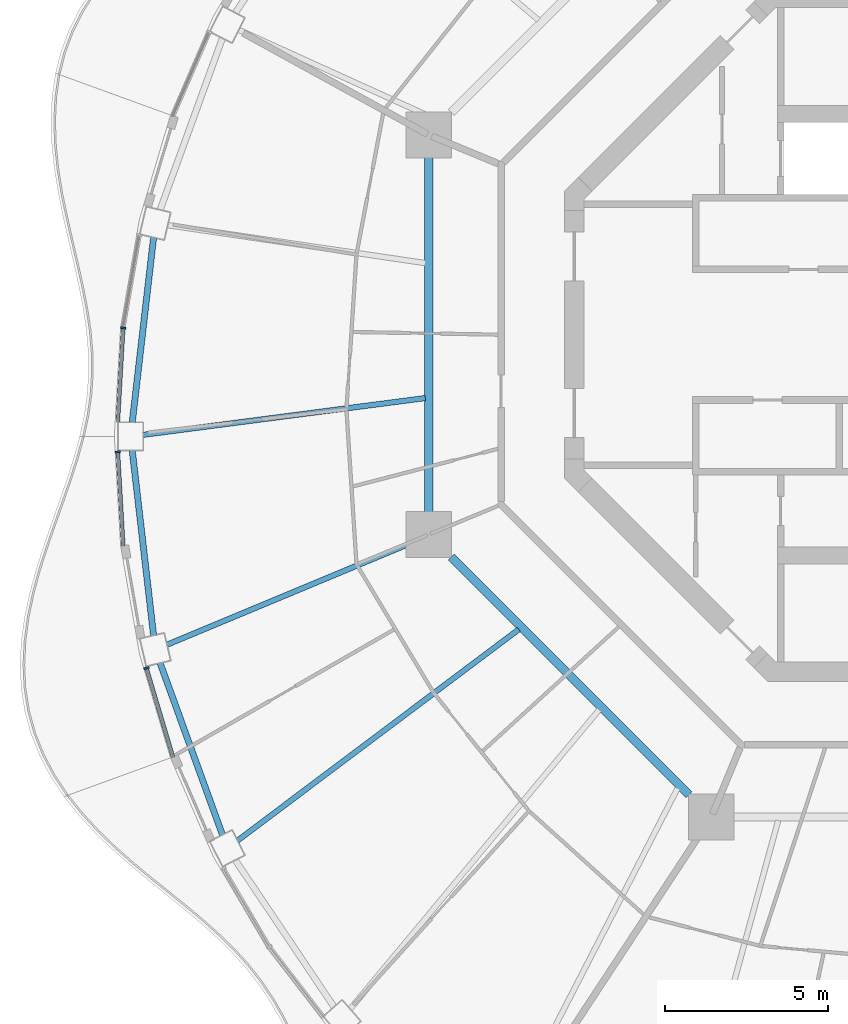
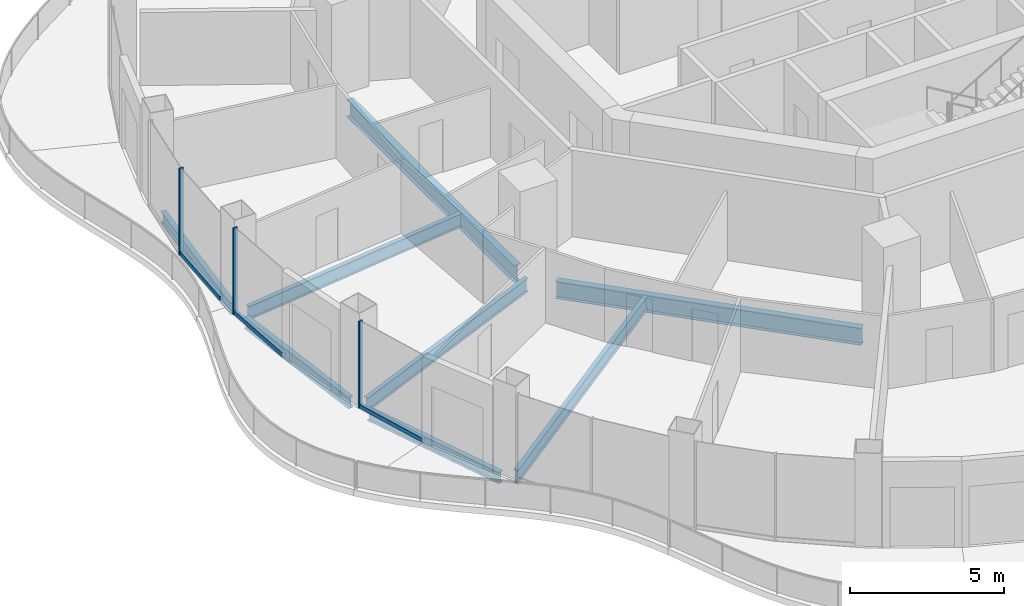
# One storey, part 3 of 17: 8 beams, 6 members, 3 elements without a shape of their own.
"""IFC4 building model written with IfcOpenShell, lengths in metres."""

from ifc_helpers import new_model, si_unit, direction, frame, origin, origin_2d, place, context, subcontext, project, spatial, rectangle, i_section, extrude, material, layer, layer_set, material_profile, profile_set, type_object, element, aggregate, save


model = new_model("IFC4")

# Units and contexts
model_context = context("Model", 3, precision=1e-05, world=origin(), true_north=direction((0.0, 1.0)))
body_context = subcontext(model_context, "Body", "Model", "MODEL_VIEW")
ifc_project = project(units=[si_unit("LENGTHUNIT", "METRE"), si_unit("AREAUNIT", "SQUARE_METRE"), si_unit("VOLUMEUNIT", "CUBIC_METRE"), si_unit("PLANEANGLEUNIT", "RADIAN"), si_unit("MASSUNIT", "GRAM", prefix="KILO")], contexts=[model_context])

# Site, building, storey
site_placement = place(None, origin())
site = spatial("IfcSite", under=ifc_project, at=site_placement, CompositionType="ELEMENT")
building_placement = place(site_placement, origin())
building = spatial("IfcBuilding", under=site, at=building_placement, Name="Nagisa Residences", CompositionType="ELEMENT")
storey_placement = place(building_placement, frame((0.0, 0.0, 262.199951171875)))
storey = spatial("IfcBuildingStorey", under=building, at=storey_placement, Name="L66", CompositionType="ELEMENT", Elevation=262.199951171875)

# Curtain wall, member
ifc_material_1 = material(Name="Concrete-coloured aluminium curtain wall system", Category="concrete")
ifc_layer = layer(ifc_material_1, 0.159912109375)
ifc_layer_set = layer_set([ifc_layer], Name="CW1 CURTAIN WALL")
curtain_wall_type = type_object("IfcCurtainWallType", Name="CW1 CURTAIN WALL", PredefinedType="NOTDEFINED", material=ifc_layer_set)
curtain_wall_1_placement = place(storey_placement, origin())
curtain_wall_1 = element("IfcCurtainWall", 1, at=curtain_wall_1_placement, inside=storey, type_object=curtain_wall_type, Name="cw:CW1:L66:23", PredefinedType="NOTDEFINED")
ifc_material_2 = material(Name="Concrete-coloured aluminium", Category="concrete")
ifc_material_profile_1 = material_profile(ifc_material_2, rectangle(XDim=0.159912109375, YDim=0.06005859375, at=origin_2d()), Name="CW1 MULLION 160x60")
ifc_profile_set_1 = profile_set([ifc_material_profile_1], Name="Concrete-coloured aluminium")
member_type_1 = type_object("IfcMemberType", Name="CW1 MULLION 160x60", PredefinedType="MULLION", material=ifc_profile_set_1)
member_1_placement = place(storey_placement, frame((-24.1484375, 0.20751953125, 0.0), z_axis=(0.0, 0.0, 1.0), x_axis=(0.998345305184, -0.057503492216, 0.0)))
member_1 = element("IfcMember", 2, at=member_1_placement, type_object=member_type_1, Name="CW1 mullion", PredefinedType="MULLION", context=body_context, shape_type="SweptSolid", body=[
    extrude(rectangle(XDim=0.159912109375, YDim=0.06005859375, at=origin_2d()), origin(), (0.0, 0.0, 1.0), 3.43994140625),
])

curtain_wall_2_placement = place(storey_placement, origin())
curtain_wall_2 = element("IfcCurtainWall", 3, at=curtain_wall_2_placement, inside=storey, type_object=curtain_wall_type, Name="cw:CW1:L66:24", PredefinedType="NOTDEFINED")
member_2_placement = place(storey_placement, frame((-24.3125, -3.59228515625, 0.0), z_axis=(0.0, 0.0, 1.0), x_axis=(0.998345305184, 0.057503492216, 0.0)))
member_2 = element("IfcMember", 4, at=member_2_placement, type_object=member_type_1, Name="CW1 mullion", PredefinedType="MULLION", context=body_context, shape_type="SweptSolid", body=[
    extrude(rectangle(XDim=0.159912109375, YDim=0.06005859375, at=origin_2d()), origin(), (0.0, 0.0, 1.0), 3.43994140625),
])

curtain_wall_3_placement = place(storey_placement, origin())
curtain_wall_3 = element("IfcCurtainWall", 5, at=curtain_wall_3_placement, inside=storey, type_object=curtain_wall_type, Name="cw:CW1:L66:26", PredefinedType="NOTDEFINED")
member_3_placement = place(storey_placement, frame((-23.435302734375, -10.216796875, 0.0), z_axis=(0.0, 0.0, 1.0), x_axis=(0.958271310082, 0.285860274038, 0.0)))
member_3 = element("IfcMember", 6, at=member_3_placement, type_object=member_type_1, Name="CW1 mullion", PredefinedType="MULLION", context=body_context, shape_type="SweptSolid", body=[
    extrude(rectangle(XDim=0.159912109375, YDim=0.06005859375, at=origin_2d()), origin(), (0.0, 0.0, 1.0), 3.43994140625),
])

# Member
ifc_material_3 = material(Name="Concrete-coloured aluminium", Category="concrete")
ifc_material_profile_2 = material_profile(ifc_material_3, rectangle(XDim=0.1201171875, YDim=0.14990234375, at=origin_2d()), Name="CW1 TRANSOM 120x150")
ifc_profile_set_2 = profile_set([ifc_material_profile_2], Name="Concrete-coloured aluminium")
member_type_2 = type_object("IfcMemberType", Name="CW1 TRANSOM 120x150", PredefinedType="USERDEFINED", material=ifc_profile_set_2)
member_4_placement = place(storey_placement, frame((-24.146728515625, 0.237548828125, 0.074951171875), z_axis=(-0.057445660401, -0.998348634547, 0.0), x_axis=(0.998348634547, -0.057445660401, 0.0)))
member_4 = element("IfcMember", 7, at=member_4_placement, type_object=member_type_2, Name="CW1 transom", ObjectType="TRANSOM", PredefinedType="USERDEFINED", context=body_context, shape_type="SweptSolid", body=[
    extrude(rectangle(XDim=0.1201171875, YDim=0.14990234375, at=origin_2d()), origin(), (0.0, 0.0, 1.0), 2.91552734375),
])

aggregate(curtain_wall_1, [member_1, member_4])

member_5_placement = place(storey_placement, frame((-24.314208984375, -3.562255859375, 0.074951171875), z_axis=(0.057445660401, -0.998348634547, 0.0), x_axis=(0.998348634547, 0.057445660401, 0.0)))
member_5 = element("IfcMember", 8, at=member_5_placement, type_object=member_type_2, Name="CW1 transom", ObjectType="TRANSOM", PredefinedType="USERDEFINED", context=body_context, shape_type="SweptSolid", body=[
    extrude(rectangle(XDim=0.1201171875, YDim=0.14990234375, at=origin_2d()), origin(), (0.0, 0.0, 1.0), 2.91552734375),
])

aggregate(curtain_wall_2, [member_2, member_5])

member_6_placement = place(storey_placement, frame((-23.44384765625, -10.18798828125, 0.074951171875), z_axis=(0.285798286059, -0.958289799427, 0.0), x_axis=(0.958289799427, 0.285798286059, 0.0)))
member_6 = element("IfcMember", 9, at=member_6_placement, type_object=member_type_2, Name="CW1 transom", ObjectType="TRANSOM", PredefinedType="USERDEFINED", context=body_context, shape_type="SweptSolid", body=[
    extrude(rectangle(XDim=0.1201171875, YDim=0.14990234375, at=origin_2d()), origin(), (0.0, 0.0, 1.0), 2.877197265625),
])

aggregate(curtain_wall_3, [member_3, member_6])

# Beams
ifc_material_4 = material(Name="Steel ASTM A572 Gr 50", Category="steel")
ifc_material_profile_3 = material_profile(ifc_material_4, i_section(OverallWidth=0.2529296875, OverallDepth=0.677978515625, WebThickness=0.01171875, FlangeThickness=0.016357421875, at=origin_2d()), Name="W690x125")
ifc_profile_set_3 = profile_set([ifc_material_profile_3], Name="Steel ASTM A572 Gr 50")
beam_type_1 = type_object("IfcBeamType", Name="Inner ring beam W690x125", PredefinedType="BEAM", material=ifc_profile_set_3)
beam_1_placement = place(storey_placement, frame((-14.781982421875, 5.44287109375, -0.598876953125), z_axis=(0.0, -1.0, 0.0), x_axis=(1.0, 0.0, 0.0)))
element("IfcBeam", 10, at=beam_1_placement, inside=storey, type_object=beam_type_1, Name="beam:L66:ib4", PredefinedType="BEAM", context=body_context, shape_type="SweptSolid", body=[
    extrude(i_section(OverallWidth=0.2529296875, OverallDepth=0.677978515625, WebThickness=0.01171875, FlangeThickness=0.016357421875, at=origin_2d()), origin(), (0.0, 0.0, 1.0), 10.8857421875),
])
beam_2_placement = place(storey_placement, frame((-14.09619140625, -6.808837890625, -0.598876953125), z_axis=(0.707106781187, -0.707106781187, 0.0), x_axis=(0.707106781187, 0.707106781187, 0.0)))
element("IfcBeam", 11, at=beam_2_placement, inside=storey, type_object=beam_type_1, Name="beam:L66:ib5", PredefinedType="BEAM", context=body_context, shape_type="SweptSolid", body=[
    extrude(i_section(OverallWidth=0.2529296875, OverallDepth=0.677978515625, WebThickness=0.01171875, FlangeThickness=0.016357421875, at=origin_2d()), origin(), (0.0, 0.0, 1.0), 10.305908203125),
])
ifc_material_5 = material(Name="Steel ASTM A572 Gr 50", Category="steel")
ifc_material_profile_4 = material_profile(ifc_material_5, i_section(OverallWidth=0.18994140625, OverallDepth=0.45703125, WebThickness=0.009033203125, FlangeThickness=0.014404296875, at=origin_2d()), Name="W460x74")
ifc_profile_set_4 = profile_set([ifc_material_profile_4], Name="Steel ASTM A572 Gr 50")
beam_type_2 = type_object("IfcBeamType", Name="Perimeter ring beam W460x74", PredefinedType="BEAM", material=ifc_profile_set_4)
for number, where, z_axis, x_axis, name in (
    (12, (-23.2158203125, 2.984619140625, -0.488525390625), (-0.114635468623, -0.993407624962, 0.0), (0.993407624962, -0.114635468623, 0.0), "beam:L66:pb12"),
    (13, (-23.870361328125, -3.5478515625, -0.488525390625), (0.114635468623, -0.993407624962, 0.0), (0.993407624962, 0.114635468623, 0.0), "beam:L66:pb13"),
):
    element("IfcBeam", number, at=place(storey_placement, frame(where, z_axis=z_axis, x_axis=x_axis)), inside=storey, type_object=beam_type_2, Name=name, PredefinedType="BEAM", context=body_context, shape_type="SweptSolid", body=[
        extrude(i_section(OverallWidth=0.18994140625, OverallDepth=0.45703125, WebThickness=0.009033203125, FlangeThickness=0.014404296875, at=origin_2d()), origin(), (0.0, 0.0, 1.0), 5.709716796875),
    ])
beam_3_placement = place(storey_placement, frame((-23.0185546875, -10.057373046875, -0.488525390625), z_axis=(0.341250304478, -0.9399724622, 0.0), x_axis=(0.9399724622, 0.341250304478, 0.0)))
element("IfcBeam", 14, at=beam_3_placement, inside=storey, type_object=beam_type_2, Name="beam:L66:pb14", PredefinedType="BEAM", context=body_context, shape_type="SweptSolid", body=[
    extrude(i_section(OverallWidth=0.18994140625, OverallDepth=0.45703125, WebThickness=0.009033203125, FlangeThickness=0.014404296875, at=origin_2d()), origin(), (0.0, 0.0, 1.0), 5.609619140625),
])
ifc_material_6 = material(Name="Steel ASTM A572 Gr 50", Category="steel")
ifc_material_profile_5 = material_profile(ifc_material_6, i_section(OverallWidth=0.166015625, OverallDepth=0.534912109375, WebThickness=0.01025390625, FlangeThickness=0.0166015625, at=origin_2d()), Name="W530x85")
ifc_profile_set_5 = profile_set([ifc_material_profile_5], Name="Steel ASTM A572 Gr 50")
beam_type_3 = type_object("IfcBeamType", Name="Radial beam W530x85", PredefinedType="BEAM", material=ifc_profile_set_5)
beam_4_placement = place(storey_placement, frame((-23.539794921875, -3.068115234375, -0.52734375), z_axis=(0.991614605292, 0.129230315994, 0.0), x_axis=(-0.129230315994, 0.991614605292, 0.0)))
element("IfcBeam", 15, at=beam_4_placement, inside=storey, type_object=beam_type_3, Name="beam:L66:rb13", PredefinedType="BEAM", context=body_context, shape_type="SweptSolid", body=[
    extrude(i_section(OverallWidth=0.166015625, OverallDepth=0.534912109375, WebThickness=0.01025390625, FlangeThickness=0.0166015625, at=origin_2d()), origin(), (0.0, 0.0, 1.0), 8.724365234375),
])
beam_5_placement = place(storey_placement, frame((-22.810546875, -9.502197265625, -0.52734375), z_axis=(0.92310713136, 0.384542876716, 0.0), x_axis=(-0.384542876716, 0.92310713136, 0.0)))
element("IfcBeam", 16, at=beam_5_placement, inside=storey, type_object=beam_type_3, Name="beam:L66:rb14", PredefinedType="BEAM", context=body_context, shape_type="SweptSolid", body=[
    extrude(i_section(OverallWidth=0.166015625, OverallDepth=0.534912109375, WebThickness=0.01025390625, FlangeThickness=0.0166015625, at=origin_2d()), origin(), (0.0, 0.0, 1.0), 8.607177734375),
])
beam_6_placement = place(storey_placement, frame((-20.647705078125, -15.505859375, -0.52734375), z_axis=(0.799616749037, 0.600510661571, 0.0), x_axis=(-0.600510661571, 0.799616749037, 0.0)))
element("IfcBeam", 17, at=beam_6_placement, inside=storey, type_object=beam_type_3, Name="beam:L66:rb15", PredefinedType="BEAM", context=body_context, shape_type="SweptSolid", body=[
    extrude(i_section(OverallWidth=0.166015625, OverallDepth=0.534912109375, WebThickness=0.01025390625, FlangeThickness=0.0166015625, at=origin_2d()), origin(), (0.0, 0.0, 1.0), 10.782958984375),
])

save(model, "model.ifc")
